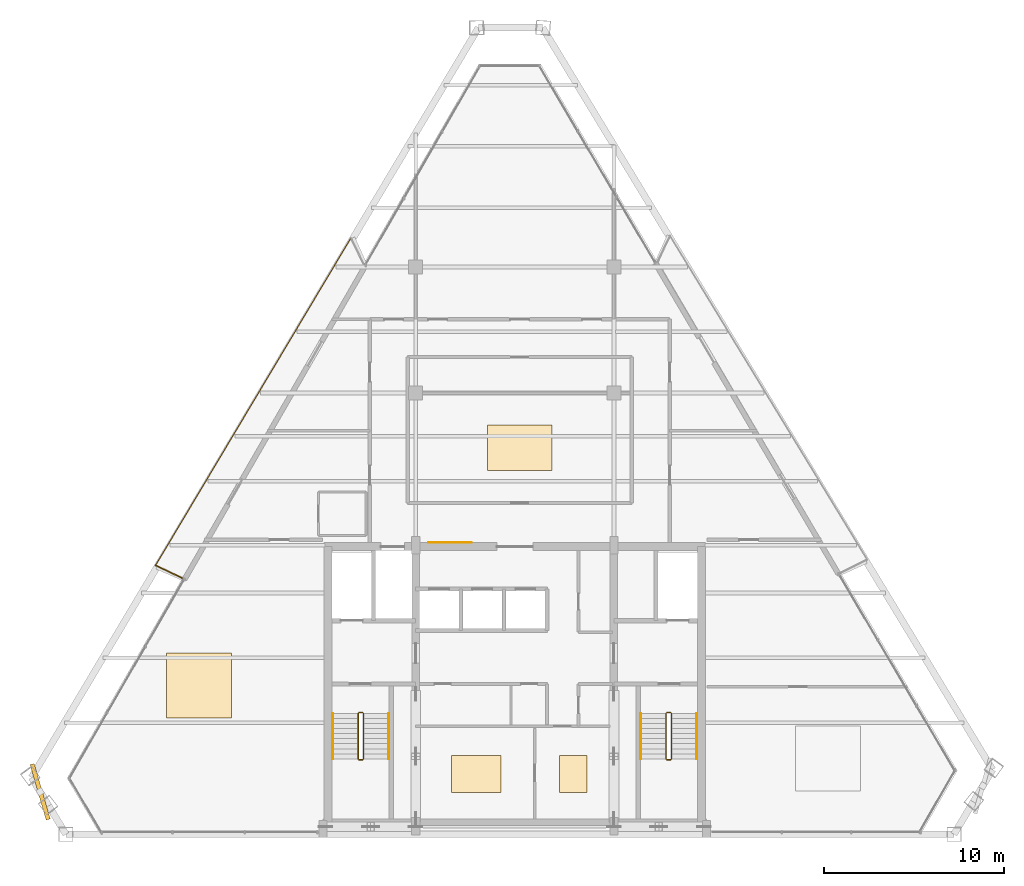
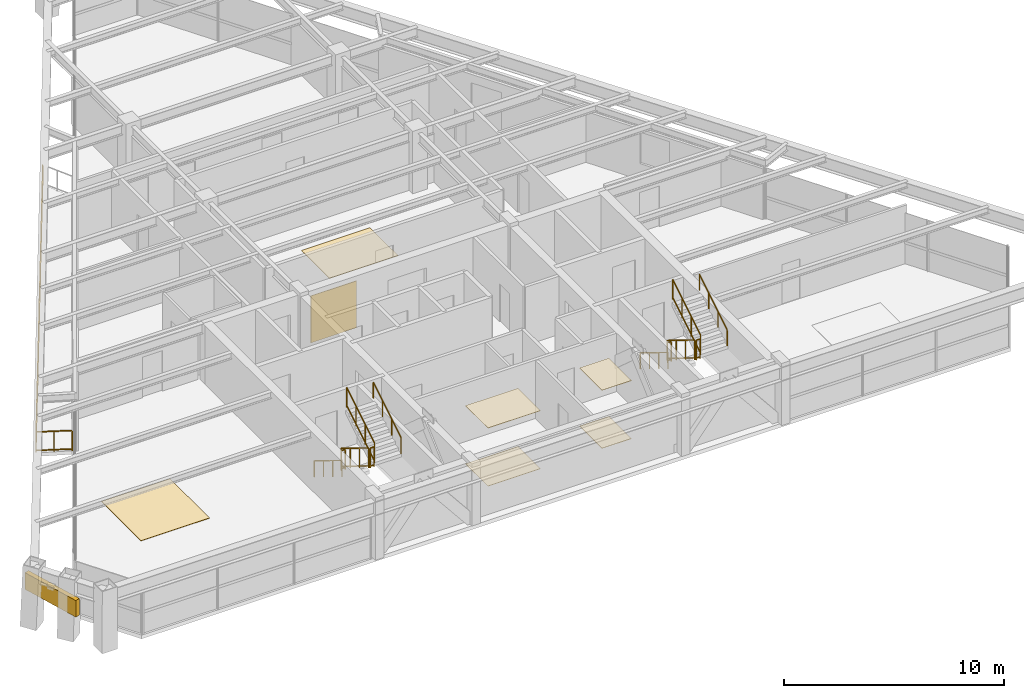
# One storey, part 12 of 13: 14 railings, 7 coverings, 1 shading device.
"""IFC4 building model written with IfcOpenShell, lengths in metres."""

from ifc_helpers import new_model, si_unit, direction, frame, origin, origin_2d, place, context, subcontext, project, spatial, rectangle, extrude, source, transform, mapped, material, layer, layer_set, type_object, type_shapes, element, save


model = new_model("IFC4")

# Units and contexts
model_context = context("Model", 3, precision=1e-05, world=origin(), true_north=direction((0.0, 1.0)))
body_context = subcontext(model_context, "Body", "Model", "MODEL_VIEW")
ifc_project = project(units=[si_unit("LENGTHUNIT", "METRE"), si_unit("AREAUNIT", "SQUARE_METRE"), si_unit("VOLUMEUNIT", "CUBIC_METRE"), si_unit("PLANEANGLEUNIT", "RADIAN"), si_unit("MASSUNIT", "GRAM", prefix="KILO")], contexts=[model_context])

# Site, building, storey
site_placement = place(None, origin())
site = spatial("IfcSite", under=ifc_project, at=site_placement, CompositionType="ELEMENT")
building_placement = place(site_placement, origin())
building = spatial("IfcBuilding", under=site, at=building_placement, Name="Varnakhor Terracotta Tower", CompositionType="ELEMENT")
storey_placement = place(building_placement, frame((0.0, 0.0, 279.89990234375)))
storey = spatial("IfcBuildingStorey", under=building, at=storey_placement, Name="L73", CompositionType="ELEMENT", Elevation=279.89990234375)

# Railings
ifc_material_1 = material(Name="Stainless Steel & Laminated Glass Guardrail", Category="steel")
railing_type_1 = type_object("IfcRailingType", Name="RLG-LOGGIA-GUARD-1150", PredefinedType="GUARDRAIL", material=ifc_material_1)
railing_1_placement = place(storey_placement, frame((-18.461181640625, 14.219970703125, 0.0)))
element("IfcRailing", 1, at=railing_1_placement, inside=storey, type_object=railing_type_1, Name="L73 W Loggia Glass Guard 1", PredefinedType="GUARDRAIL", context=body_context, shape_type="SweptSolid", body=[
    extrude(rectangle(XDim=0.048095703125, YDim=0.048095703125, at=origin_2d()), frame((0.0, 0.0, 1.1259765625), z_axis=(-0.899934042916, 0.436026052434, 0.0), x_axis=(-0.436026052434, -0.899934042916, 0.0)), (0.0, 0.0, 1.0), 1.646240234375),
    extrude(rectangle(XDim=0.048095703125, YDim=0.048095703125, at=origin_2d()), frame((0.0, 0.0, 0.10009765625), z_axis=(-0.899934042916, 0.436026052434, 0.0), x_axis=(-0.436026052434, -0.899934042916, 0.0)), (0.0, 0.0, 1.0), 1.646240234375),
    extrude(rectangle(XDim=0.0419921875, YDim=0.0419921875, at=origin_2d()), origin(), (0.0, 0.0, 1.0), 1.101806640625),
    extrude(rectangle(XDim=0.0419921875, YDim=0.0419921875, at=origin_2d()), frame((-0.74072265625, 0.35888671875, 0.0)), (0.0, 0.0, 1.0), 1.101806640625),
    extrude(rectangle(XDim=0.0419921875, YDim=0.0419921875, at=origin_2d()), frame((-1.4814453125, 0.7177734375, 0.0)), (0.0, 0.0, 1.0), 1.101806640625),
])
railing_2_placement = place(storey_placement, frame((-19.942626953125, 14.937744140625, 0.0)))
element("IfcRailing", 2, at=railing_2_placement, inside=storey, type_object=railing_type_1, Name="L73 W Loggia Glass Guard 2", PredefinedType="GUARDRAIL", context=body_context, shape_type="SweptSolid", body=[
    extrude(rectangle(XDim=0.048095703125, YDim=0.048095703125, at=origin_2d()), frame((0.0, 0.0, 1.1259765625), z_axis=(0.51237804327, 0.858760001849, 0.0), x_axis=(-0.858760001849, 0.51237804327, 0.0)), (0.0, 0.0, 1.0), 21.156982421875),
    extrude(rectangle(XDim=0.048095703125, YDim=0.048095703125, at=origin_2d()), frame((0.0, 0.0, 0.10009765625), z_axis=(0.51237804327, 0.858760001849, 0.0), x_axis=(-0.858760001849, 0.51237804327, 0.0)), (0.0, 0.0, 1.0), 21.156982421875),
    extrude(rectangle(XDim=0.0419921875, YDim=0.0419921875, at=origin_2d()), origin(), (0.0, 0.0, 1.0), 1.101806640625),
    extrude(rectangle(XDim=0.0419921875, YDim=0.0419921875, at=origin_2d()), frame((0.677490234375, 1.135498046875, 0.0)), (0.0, 0.0, 1.0), 1.101806640625),
    extrude(rectangle(XDim=0.0419921875, YDim=0.0419921875, at=origin_2d()), frame((1.35498046875, 2.27099609375, 0.0)), (0.0, 0.0, 1.0), 1.101806640625),
    extrude(rectangle(XDim=0.0419921875, YDim=0.0419921875, at=origin_2d()), frame((2.032470703125, 3.40673828125, 0.0)), (0.0, 0.0, 1.0), 1.101806640625),
    extrude(rectangle(XDim=0.0419921875, YDim=0.0419921875, at=origin_2d()), frame((2.7099609375, 4.542236328125, 0.0)), (0.0, 0.0, 1.0), 1.101806640625),
    extrude(rectangle(XDim=0.0419921875, YDim=0.0419921875, at=origin_2d()), frame((3.3876953125, 5.677734375, 0.0)), (0.0, 0.0, 1.0), 1.101806640625),
    extrude(rectangle(XDim=0.0419921875, YDim=0.0419921875, at=origin_2d()), frame((4.065185546875, 6.813232421875, 0.0)), (0.0, 0.0, 1.0), 1.101806640625),
    extrude(rectangle(XDim=0.0419921875, YDim=0.0419921875, at=origin_2d()), frame((4.74267578125, 7.94873046875, 0.0)), (0.0, 0.0, 1.0), 1.101806640625),
    extrude(rectangle(XDim=0.0419921875, YDim=0.0419921875, at=origin_2d()), frame((5.420166015625, 9.08447265625, 0.0)), (0.0, 0.0, 1.0), 1.101806640625),
    extrude(rectangle(XDim=0.0419921875, YDim=0.0419921875, at=origin_2d()), frame((6.09765625, 10.219970703125, 0.0)), (0.0, 0.0, 1.0), 1.101806640625),
    extrude(rectangle(XDim=0.0419921875, YDim=0.0419921875, at=origin_2d()), frame((6.775146484375, 11.35546875, 0.0)), (0.0, 0.0, 1.0), 1.101806640625),
    extrude(rectangle(XDim=0.0419921875, YDim=0.0419921875, at=origin_2d()), frame((7.45263671875, 12.490966796875, 0.0)), (0.0, 0.0, 1.0), 1.101806640625),
    extrude(rectangle(XDim=0.0419921875, YDim=0.0419921875, at=origin_2d()), frame((8.13037109375, 13.62646484375, 0.0)), (0.0, 0.0, 1.0), 1.101806640625),
    extrude(rectangle(XDim=0.0419921875, YDim=0.0419921875, at=origin_2d()), frame((8.807861328125, 14.761962890625, 0.0)), (0.0, 0.0, 1.0), 1.101806640625),
    extrude(rectangle(XDim=0.0419921875, YDim=0.0419921875, at=origin_2d()), frame((9.4853515625, 15.897705078125, 0.0)), (0.0, 0.0, 1.0), 1.101806640625),
    extrude(rectangle(XDim=0.0419921875, YDim=0.0419921875, at=origin_2d()), frame((10.162841796875, 17.033203125, 0.0)), (0.0, 0.0, 1.0), 1.101806640625),
    extrude(rectangle(XDim=0.0419921875, YDim=0.0419921875, at=origin_2d()), frame((10.84033203125, 18.168701171875, 0.0)), (0.0, 0.0, 1.0), 1.101806640625),
])
ifc_material_2 = material(Name="Painted Steel Stairwell Guardrail", Category="steel")
railing_type_2 = type_object("IfcRailingType", Name="RLG-STAIR-GUARD-1120", PredefinedType="GUARDRAIL", material=ifc_material_2)
railing_3_placement = place(storey_placement, frame((-8.699951171875, 6.7099609375, 0.172607421875)))
element("IfcRailing", 3, at=railing_3_placement, inside=storey, type_object=railing_type_2, Name="L73 ST-1 stair guard 1", PredefinedType="GUARDRAIL", context=body_context, shape_type="SweptSolid", body=[
    extrude(rectangle(XDim=0.048095703125, YDim=0.048095703125, at=origin_2d()), frame((0.0, 0.0, 1.09619140625), z_axis=(0.0, -0.851400495292, 0.524516154772), x_axis=(1.0, 0.0, 0.0)), (0.0, 0.0, 1.0), 2.9599609375),
    extrude(rectangle(XDim=0.048095703125, YDim=0.048095703125, at=origin_2d()), frame((0.0, 0.0, 0.10009765625), z_axis=(0.0, -0.851400495292, 0.524516154772), x_axis=(1.0, 0.0, 0.0)), (0.0, 0.0, 1.0), 2.9599609375),
    extrude(rectangle(XDim=0.0419921875, YDim=0.0419921875, at=origin_2d()), origin(), (0.0, 0.0, 1.0), 1.072021484375),
    extrude(rectangle(XDim=0.0419921875, YDim=0.0419921875, at=origin_2d()), frame((0.0, -0.840087890625, 0.517578125)), (0.0, 0.0, 1.0), 1.072021484375),
    extrude(rectangle(XDim=0.0419921875, YDim=0.0419921875, at=origin_2d()), frame((0.0, -1.679931640625, 1.034912109375)), (0.0, 0.0, 1.0), 1.072021484375),
    extrude(rectangle(XDim=0.0419921875, YDim=0.0419921875, at=origin_2d()), frame((0.0, -2.52001953125, 1.552490234375)), (0.0, 0.0, 1.0), 1.072021484375),
])
railing_4_placement = place(storey_placement, frame((-8.64990234375, 4.139892578125, 1.72509765625)))
element("IfcRailing", 4, at=railing_4_placement, inside=storey, type_object=railing_type_2, Name="L73 ST-1 stair guard 2", PredefinedType="GUARDRAIL", context=body_context, shape_type="SweptSolid", body=[
    extrude(rectangle(XDim=0.048095703125, YDim=0.048095703125, at=origin_2d()), frame((0.0, 0.0, 1.09619140625), z_axis=(1.0, 0.0, 0.0), x_axis=(0.0, 1.0, 0.0)), (0.0, 0.0, 1.0), 0.199951171875),
    extrude(rectangle(XDim=0.048095703125, YDim=0.048095703125, at=origin_2d()), frame((0.0, 0.0, 0.10009765625), z_axis=(1.0, 0.0, 0.0), x_axis=(0.0, 1.0, 0.0)), (0.0, 0.0, 1.0), 0.199951171875),
    extrude(rectangle(XDim=0.0419921875, YDim=0.0419921875, at=origin_2d()), origin(), (0.0, 0.0, 1.0), 1.072021484375),
    extrude(rectangle(XDim=0.0419921875, YDim=0.0419921875, at=origin_2d()), frame((0.199951171875, 0.0, 0.0)), (0.0, 0.0, 1.0), 1.072021484375),
])
railing_5_placement = place(storey_placement, frame((-8.39990234375, 4.18994140625, 1.897705078125)))
element("IfcRailing", 5, at=railing_5_placement, inside=storey, type_object=railing_type_2, Name="L73 ST-1 stair guard 3", PredefinedType="GUARDRAIL", context=body_context, shape_type="SweptSolid", body=[
    extrude(rectangle(XDim=0.048095703125, YDim=0.048095703125, at=origin_2d()), frame((0.0, 0.0, 1.09619140625), z_axis=(0.0, 0.851400495292, 0.524516154772), x_axis=(-1.0, 0.0, 0.0)), (0.0, 0.0, 1.0), 2.9599609375),
    extrude(rectangle(XDim=0.048095703125, YDim=0.048095703125, at=origin_2d()), frame((0.0, 0.0, 0.10009765625), z_axis=(0.0, 0.851400495292, 0.524516154772), x_axis=(-1.0, 0.0, 0.0)), (0.0, 0.0, 1.0), 2.9599609375),
    extrude(rectangle(XDim=0.0419921875, YDim=0.0419921875, at=origin_2d()), origin(), (0.0, 0.0, 1.0), 1.072021484375),
    extrude(rectangle(XDim=0.0419921875, YDim=0.0419921875, at=origin_2d()), frame((0.0, 0.840087890625, 0.517578125)), (0.0, 0.0, 1.0), 1.072021484375),
    extrude(rectangle(XDim=0.0419921875, YDim=0.0419921875, at=origin_2d()), frame((0.0, 1.679931640625, 1.034912109375)), (0.0, 0.0, 1.0), 1.072021484375),
    extrude(rectangle(XDim=0.0419921875, YDim=0.0419921875, at=origin_2d()), frame((0.0, 2.52001953125, 1.552490234375)), (0.0, 0.0, 1.0), 1.072021484375),
])
railing_6_placement = place(storey_placement, frame((-8.64990234375, 6.760009765625, 0.0)))
element("IfcRailing", 6, at=railing_6_placement, inside=storey, type_object=railing_type_2, Name="L73 ST-1 stair guard 4", PredefinedType="GUARDRAIL", context=body_context, shape_type="SweptSolid", body=[
    extrude(rectangle(XDim=0.048095703125, YDim=0.048095703125, at=origin_2d()), frame((0.0, 0.0, 1.09619140625), z_axis=(1.0, 0.0, 0.0), x_axis=(0.0, 1.0, 0.0)), (0.0, 0.0, 1.0), 0.199951171875),
    extrude(rectangle(XDim=0.048095703125, YDim=0.048095703125, at=origin_2d()), frame((0.0, 0.0, 0.10009765625), z_axis=(1.0, 0.0, 0.0), x_axis=(0.0, 1.0, 0.0)), (0.0, 0.0, 1.0), 0.199951171875),
    extrude(rectangle(XDim=0.0419921875, YDim=0.0419921875, at=origin_2d()), origin(), (0.0, 0.0, 1.0), 1.072021484375),
    extrude(rectangle(XDim=0.0419921875, YDim=0.0419921875, at=origin_2d()), frame((0.199951171875, 0.0, 0.0)), (0.0, 0.0, 1.0), 1.072021484375),
])
railing_7_placement = place(storey_placement, frame((8.39990234375, 6.7099609375, 0.172607421875)))
element("IfcRailing", 7, at=railing_7_placement, inside=storey, type_object=railing_type_2, Name="L73 ST-2 stair guard 1", PredefinedType="GUARDRAIL", context=body_context, shape_type="SweptSolid", body=[
    extrude(rectangle(XDim=0.048095703125, YDim=0.048095703125, at=origin_2d()), frame((0.0, 0.0, 1.09619140625), z_axis=(0.0, -0.851400495292, 0.524516154772), x_axis=(1.0, 0.0, 0.0)), (0.0, 0.0, 1.0), 2.9599609375),
    extrude(rectangle(XDim=0.048095703125, YDim=0.048095703125, at=origin_2d()), frame((0.0, 0.0, 0.10009765625), z_axis=(0.0, -0.851400495292, 0.524516154772), x_axis=(1.0, 0.0, 0.0)), (0.0, 0.0, 1.0), 2.9599609375),
    extrude(rectangle(XDim=0.0419921875, YDim=0.0419921875, at=origin_2d()), origin(), (0.0, 0.0, 1.0), 1.072021484375),
    extrude(rectangle(XDim=0.0419921875, YDim=0.0419921875, at=origin_2d()), frame((0.0, -0.840087890625, 0.517578125)), (0.0, 0.0, 1.0), 1.072021484375),
    extrude(rectangle(XDim=0.0419921875, YDim=0.0419921875, at=origin_2d()), frame((0.0, -1.679931640625, 1.034912109375)), (0.0, 0.0, 1.0), 1.072021484375),
    extrude(rectangle(XDim=0.0419921875, YDim=0.0419921875, at=origin_2d()), frame((0.0, -2.52001953125, 1.552490234375)), (0.0, 0.0, 1.0), 1.072021484375),
])
railing_8_placement = place(storey_placement, frame((8.449951171875, 4.139892578125, 1.72509765625)))
element("IfcRailing", 8, at=railing_8_placement, inside=storey, type_object=railing_type_2, Name="L73 ST-2 stair guard 2", PredefinedType="GUARDRAIL", context=body_context, shape_type="SweptSolid", body=[
    extrude(rectangle(XDim=0.048095703125, YDim=0.048095703125, at=origin_2d()), frame((0.0, 0.0, 1.09619140625), z_axis=(1.0, 0.0, 0.0), x_axis=(0.0, 1.0, 0.0)), (0.0, 0.0, 1.0), 0.199951171875),
    extrude(rectangle(XDim=0.048095703125, YDim=0.048095703125, at=origin_2d()), frame((0.0, 0.0, 0.10009765625), z_axis=(1.0, 0.0, 0.0), x_axis=(0.0, 1.0, 0.0)), (0.0, 0.0, 1.0), 0.199951171875),
    extrude(rectangle(XDim=0.0419921875, YDim=0.0419921875, at=origin_2d()), origin(), (0.0, 0.0, 1.0), 1.072021484375),
    extrude(rectangle(XDim=0.0419921875, YDim=0.0419921875, at=origin_2d()), frame((0.199951171875, 0.0, 0.0)), (0.0, 0.0, 1.0), 1.072021484375),
])
railing_9_placement = place(storey_placement, frame((8.699951171875, 4.18994140625, 1.897705078125)))
element("IfcRailing", 9, at=railing_9_placement, inside=storey, type_object=railing_type_2, Name="L73 ST-2 stair guard 3", PredefinedType="GUARDRAIL", context=body_context, shape_type="SweptSolid", body=[
    extrude(rectangle(XDim=0.048095703125, YDim=0.048095703125, at=origin_2d()), frame((0.0, 0.0, 1.09619140625), z_axis=(0.0, 0.851400495292, 0.524516154772), x_axis=(-1.0, 0.0, 0.0)), (0.0, 0.0, 1.0), 2.9599609375),
    extrude(rectangle(XDim=0.048095703125, YDim=0.048095703125, at=origin_2d()), frame((0.0, 0.0, 0.10009765625), z_axis=(0.0, 0.851400495292, 0.524516154772), x_axis=(-1.0, 0.0, 0.0)), (0.0, 0.0, 1.0), 2.9599609375),
    extrude(rectangle(XDim=0.0419921875, YDim=0.0419921875, at=origin_2d()), origin(), (0.0, 0.0, 1.0), 1.072021484375),
    extrude(rectangle(XDim=0.0419921875, YDim=0.0419921875, at=origin_2d()), frame((0.0, 0.840087890625, 0.517578125)), (0.0, 0.0, 1.0), 1.072021484375),
    extrude(rectangle(XDim=0.0419921875, YDim=0.0419921875, at=origin_2d()), frame((0.0, 1.679931640625, 1.034912109375)), (0.0, 0.0, 1.0), 1.072021484375),
    extrude(rectangle(XDim=0.0419921875, YDim=0.0419921875, at=origin_2d()), frame((0.0, 2.52001953125, 1.552490234375)), (0.0, 0.0, 1.0), 1.072021484375),
])
railing_10_placement = place(storey_placement, frame((8.449951171875, 6.760009765625, 0.0)))
element("IfcRailing", 10, at=railing_10_placement, inside=storey, type_object=railing_type_2, Name="L73 ST-2 stair guard 4", PredefinedType="GUARDRAIL", context=body_context, shape_type="SweptSolid", body=[
    extrude(rectangle(XDim=0.048095703125, YDim=0.048095703125, at=origin_2d()), frame((0.0, 0.0, 1.09619140625), z_axis=(1.0, 0.0, 0.0), x_axis=(0.0, 1.0, 0.0)), (0.0, 0.0, 1.0), 0.199951171875),
    extrude(rectangle(XDim=0.048095703125, YDim=0.048095703125, at=origin_2d()), frame((0.0, 0.0, 0.10009765625), z_axis=(1.0, 0.0, 0.0), x_axis=(0.0, 1.0, 0.0)), (0.0, 0.0, 1.0), 0.199951171875),
    extrude(rectangle(XDim=0.0419921875, YDim=0.0419921875, at=origin_2d()), origin(), (0.0, 0.0, 1.0), 1.072021484375),
    extrude(rectangle(XDim=0.0419921875, YDim=0.0419921875, at=origin_2d()), frame((0.199951171875, 0.0, 0.0)), (0.0, 0.0, 1.0), 1.072021484375),
])
ifc_material_3 = material(Name="Brushed Stainless Steel Handrail", Category="steel")
railing_type_3 = type_object("IfcRailingType", Name="RLG-STAIR-HANDRAIL-920", PredefinedType="HANDRAIL", material=ifc_material_3)
railing_11_placement = place(storey_placement, frame((-10.10009765625, 6.7099609375, 0.172607421875)))
element("IfcRailing", 11, at=railing_11_placement, inside=storey, type_object=railing_type_3, Name="L73 ST-1 stair handrail 1", PredefinedType="HANDRAIL", context=body_context, shape_type="SweptSolid", body=[
    extrude(rectangle(XDim=0.048095703125, YDim=0.048095703125, at=origin_2d()), frame((0.0, 0.0, 0.89599609375), z_axis=(0.0, -0.851400495292, 0.524516154772), x_axis=(1.0, 0.0, 0.0)), (0.0, 0.0, 1.0), 2.9599609375),
    extrude(rectangle(XDim=0.0419921875, YDim=0.0419921875, at=origin_2d()), origin(), (0.0, 0.0, 1.0), 0.871826171875),
    extrude(rectangle(XDim=0.0419921875, YDim=0.0419921875, at=origin_2d()), frame((0.0, -0.840087890625, 0.517578125)), (0.0, 0.0, 1.0), 0.871826171875),
    extrude(rectangle(XDim=0.0419921875, YDim=0.0419921875, at=origin_2d()), frame((0.0, -1.679931640625, 1.034912109375)), (0.0, 0.0, 1.0), 0.871826171875),
    extrude(rectangle(XDim=0.0419921875, YDim=0.0419921875, at=origin_2d()), frame((0.0, -2.52001953125, 1.552490234375)), (0.0, 0.0, 1.0), 0.871826171875),
])
railing_12_placement = place(storey_placement, frame((-7.0, 4.18994140625, 1.897705078125)))
element("IfcRailing", 12, at=railing_12_placement, inside=storey, type_object=railing_type_3, Name="L73 ST-1 stair handrail 2", PredefinedType="HANDRAIL", context=body_context, shape_type="SweptSolid", body=[
    extrude(rectangle(XDim=0.048095703125, YDim=0.048095703125, at=origin_2d()), frame((0.0, 0.0, 0.89599609375), z_axis=(0.0, 0.851400495292, 0.524516154772), x_axis=(-1.0, 0.0, 0.0)), (0.0, 0.0, 1.0), 2.9599609375),
    extrude(rectangle(XDim=0.0419921875, YDim=0.0419921875, at=origin_2d()), origin(), (0.0, 0.0, 1.0), 0.871826171875),
    extrude(rectangle(XDim=0.0419921875, YDim=0.0419921875, at=origin_2d()), frame((0.0, 0.840087890625, 0.517578125)), (0.0, 0.0, 1.0), 0.871826171875),
    extrude(rectangle(XDim=0.0419921875, YDim=0.0419921875, at=origin_2d()), frame((0.0, 1.679931640625, 1.034912109375)), (0.0, 0.0, 1.0), 0.871826171875),
    extrude(rectangle(XDim=0.0419921875, YDim=0.0419921875, at=origin_2d()), frame((0.0, 2.52001953125, 1.552490234375)), (0.0, 0.0, 1.0), 0.871826171875),
])
railing_13_placement = place(storey_placement, frame((7.0, 6.7099609375, 0.172607421875)))
element("IfcRailing", 13, at=railing_13_placement, inside=storey, type_object=railing_type_3, Name="L73 ST-2 stair handrail 1", PredefinedType="HANDRAIL", context=body_context, shape_type="SweptSolid", body=[
    extrude(rectangle(XDim=0.048095703125, YDim=0.048095703125, at=origin_2d()), frame((0.0, 0.0, 0.89599609375), z_axis=(0.0, -0.851400495292, 0.524516154772), x_axis=(1.0, 0.0, 0.0)), (0.0, 0.0, 1.0), 2.9599609375),
    extrude(rectangle(XDim=0.0419921875, YDim=0.0419921875, at=origin_2d()), origin(), (0.0, 0.0, 1.0), 0.871826171875),
    extrude(rectangle(XDim=0.0419921875, YDim=0.0419921875, at=origin_2d()), frame((0.0, -0.840087890625, 0.517578125)), (0.0, 0.0, 1.0), 0.871826171875),
    extrude(rectangle(XDim=0.0419921875, YDim=0.0419921875, at=origin_2d()), frame((0.0, -1.679931640625, 1.034912109375)), (0.0, 0.0, 1.0), 0.871826171875),
    extrude(rectangle(XDim=0.0419921875, YDim=0.0419921875, at=origin_2d()), frame((0.0, -2.52001953125, 1.552490234375)), (0.0, 0.0, 1.0), 0.871826171875),
])
railing_14_placement = place(storey_placement, frame((10.10009765625, 4.18994140625, 1.897705078125)))
element("IfcRailing", 14, at=railing_14_placement, inside=storey, type_object=railing_type_3, Name="L73 ST-2 stair handrail 2", PredefinedType="HANDRAIL", context=body_context, shape_type="SweptSolid", body=[
    extrude(rectangle(XDim=0.048095703125, YDim=0.048095703125, at=origin_2d()), frame((0.0, 0.0, 0.89599609375), z_axis=(0.0, 0.851400495292, 0.524516154772), x_axis=(-1.0, 0.0, 0.0)), (0.0, 0.0, 1.0), 2.9599609375),
    extrude(rectangle(XDim=0.0419921875, YDim=0.0419921875, at=origin_2d()), origin(), (0.0, 0.0, 1.0), 0.871826171875),
    extrude(rectangle(XDim=0.0419921875, YDim=0.0419921875, at=origin_2d()), frame((0.0, 0.840087890625, 0.517578125)), (0.0, 0.0, 1.0), 0.871826171875),
    extrude(rectangle(XDim=0.0419921875, YDim=0.0419921875, at=origin_2d()), frame((0.0, 1.679931640625, 1.034912109375)), (0.0, 0.0, 1.0), 0.871826171875),
    extrude(rectangle(XDim=0.0419921875, YDim=0.0419921875, at=origin_2d()), frame((0.0, 2.52001953125, 1.552490234375)), (0.0, 0.0, 1.0), 0.871826171875),
])

# Shading device
ifc_material_4 = material(Name="Extruded Architectural Terracotta Screen", Category="masonry")
shading_device_type = type_object("IfcShadingDeviceType", Name="TERRACOTTA SOLAR SCREEN W", PredefinedType="USERDEFINED", material=ifc_material_4)
shared_shape_1 = source(origin(), body_context, "Body", "SweptSolid", [
    extrude(rectangle(XDim=3.199951171875, YDim=0.239990234375, at=origin_2d()), origin(), (0.0, 0.0, 1.0), 0.919921875),
])
type_shapes(shading_device_type, [shared_shape_1])
shading_device_placement = place(storey_placement, frame((-26.354736328125, 2.361572265625, 1.562255859375), z_axis=(0.0, 0.0, 1.0), x_axis=(0.279627935524, -0.960108440581, 0.0)))
element("IfcShadingDevice", 15, at=shading_device_placement, inside=storey, type_object=shading_device_type, Name="L73 W Terracotta Solar Screen", ObjectType="SCREEN", PredefinedType="USERDEFINED", context=body_context, shape_type="MappedRepresentation", body=[
    mapped(shared_shape_1, transform((0.0, 0.0, 0.0), scale=1.0)),
])

# Coverings
ifc_material_5 = material(Name="Extruded Architectural Terracotta Cladding", Category="masonry")
ifc_layer_1 = layer(ifc_material_5, 0.044921875, Name="Extruded Architectural Terracotta Cladding")
ifc_layer_set_1 = layer_set([ifc_layer_1], Name="Extruded Architectural Terracotta Cladding")
covering_type_1 = type_object("IfcCoveringType", Name="COV-CLAD-TERRACOTTA", PredefinedType="CLADDING", material=ifc_layer_set_1)
shared_shape_2 = source(origin(), body_context, "Body", "SweptSolid", [
    extrude(rectangle(XDim=2.39990234375, YDim=0.030029296875, at=origin_2d()), origin(), (0.0, 0.0, 1.0), 2.60009765625),
])
type_shapes(covering_type_1, [shared_shape_2])
covering_1_placement = place(storey_placement, frame((-3.60009765625, 16.2119140625, 0.0), z_axis=(0.0, 0.0, 1.0), x_axis=(1.0, 0.0, 0.0)))
element("IfcCovering", 16, at=covering_1_placement, inside=storey, type_object=covering_type_1, Name="L73 Core Lobby Limestone Cladding", PredefinedType="CLADDING", context=body_context, shape_type="MappedRepresentation", body=[
    mapped(shared_shape_2, transform((0.0, 0.0, 0.0), scale=1.0)),
])
ifc_material_6 = material(Name="Honed Riyadh Limestone Flooring", Category="masonry")
ifc_layer_2 = layer(ifc_material_6, 0.030029296875, Name="Honed Riyadh Limestone Flooring")
ifc_layer_set_2 = layer_set([ifc_layer_2], Name="Honed Riyadh Limestone Flooring")
covering_type_2 = type_object("IfcCoveringType", Name="COV-FLOOR-LIMESTONE", PredefinedType="FLOORING", material=ifc_layer_set_2)
shared_shape_3 = source(origin(), body_context, "Body", "SweptSolid", [
    extrude(rectangle(XDim=3.60009765625, YDim=3.60009765625, at=origin_2d()), origin(), (0.0, 0.0, 1.0), 0.02001953125),
])
covering_2_placement = place(storey_placement, frame((-17.529052734375, 8.26611328125, 0.0), z_axis=(0.0, 0.0, 1.0), x_axis=(1.0, 0.0, 0.0)))
element("IfcCovering", 17, at=covering_2_placement, inside=storey, type_object=covering_type_2, Name="L73 Honed Stone Flooring 3", PredefinedType="FLOORING", context=body_context, shape_type="MappedRepresentation", body=[
    mapped(shared_shape_3, transform((0.0, 0.0, 0.0), scale=1.0)),
])
shared_shape_4 = source(origin(), body_context, "Body", "SweptSolid", [
    extrude(rectangle(XDim=2.75, YDim=2.041015625, at=origin_2d()), origin(), (0.0, 0.0, 1.0), 0.02001953125),
])
covering_3_placement = place(storey_placement, frame((-2.139892578125, 3.35498046875, 0.0), z_axis=(0.0, 0.0, 1.0), x_axis=(1.0, 0.0, 0.0)))
element("IfcCovering", 18, at=covering_3_placement, inside=storey, type_object=covering_type_2, Name="L73 Honed Stone Flooring 1", PredefinedType="FLOORING", context=body_context, shape_type="MappedRepresentation", body=[
    mapped(shared_shape_4, transform((0.0, 0.0, 0.0), scale=1.0)),
])
ifc_material_7 = material(Name="Perforated Acoustic Mineral-Fibre Ceiling", Category="gypsum")
ifc_layer_3 = layer(ifc_material_7, 0.02490234375, Name="Perforated Acoustic Mineral-Fibre Ceiling")
ifc_layer_set_3 = layer_set([ifc_layer_3], Name="Perforated Acoustic Mineral-Fibre Ceiling")
covering_type_3 = type_object("IfcCoveringType", Name="COV-CEILING-ACOUSTIC", PredefinedType="CEILING", material=ifc_layer_set_3)
shared_shape_5 = source(origin(), body_context, "Body", "SweptSolid", [
    extrude(rectangle(XDim=2.75, YDim=2.041015625, at=origin_2d()), origin(), (0.0, 0.0, 1.0), 0.02392578125),
])
covering_4_placement = place(storey_placement, frame((-2.139892578125, 3.35498046875, 3.216064453125), z_axis=(0.0, 0.0, 1.0), x_axis=(1.0, 0.0, 0.0)))
element("IfcCovering", 19, at=covering_4_placement, inside=storey, type_object=covering_type_3, Name="L73 Acoustic Ceiling Panel 1", PredefinedType="CEILING", context=body_context, shape_type="MappedRepresentation", body=[
    mapped(shared_shape_5, transform((0.0, 0.0, 0.0), scale=1.0)),
])
shared_shape_6 = source(origin(), body_context, "Body", "SweptSolid", [
    extrude(rectangle(XDim=1.5400390625, YDim=2.041015625, at=origin_2d()), origin(), (0.0, 0.0, 1.0), 0.02001953125),
])
covering_5_placement = place(storey_placement, frame((3.239990234375, 3.35498046875, 0.0), z_axis=(0.0, 0.0, 1.0), x_axis=(1.0, 0.0, 0.0)))
element("IfcCovering", 20, at=covering_5_placement, inside=storey, type_object=covering_type_2, Name="L73 Honed Stone Flooring 2", PredefinedType="FLOORING", context=body_context, shape_type="MappedRepresentation", body=[
    mapped(shared_shape_6, transform((0.0, 0.0, 0.0), scale=1.0)),
])
shared_shape_7 = source(origin(), body_context, "Body", "SweptSolid", [
    extrude(rectangle(XDim=1.5400390625, YDim=2.041015625, at=origin_2d()), origin(), (0.0, 0.0, 1.0), 0.02392578125),
])
covering_6_placement = place(storey_placement, frame((3.239990234375, 3.35498046875, 3.216064453125), z_axis=(0.0, 0.0, 1.0), x_axis=(1.0, 0.0, 0.0)))
element("IfcCovering", 21, at=covering_6_placement, inside=storey, type_object=covering_type_3, Name="L73 Acoustic Ceiling Panel 2", PredefinedType="CEILING", context=body_context, shape_type="MappedRepresentation", body=[
    mapped(shared_shape_7, transform((0.0, 0.0, 0.0), scale=1.0)),
])
shared_shape_8 = source(origin(), body_context, "Body", "SweptSolid", [
    extrude(rectangle(XDim=3.60009765625, YDim=2.5439453125, at=origin_2d()), origin(), (0.0, 0.0, 1.0), 0.02001953125),
])
covering_7_placement = place(storey_placement, frame((0.27490234375, 21.4609375, 0.0), z_axis=(0.0, 0.0, 1.0), x_axis=(1.0, 0.0, 0.0)))
element("IfcCovering", 22, at=covering_7_placement, inside=storey, type_object=covering_type_2, Name="L73 Honed Stone Flooring 5", PredefinedType="FLOORING", context=body_context, shape_type="MappedRepresentation", body=[
    mapped(shared_shape_8, transform((0.0, 0.0, 0.0), scale=1.0)),
])

save(model, "model.ifc")
